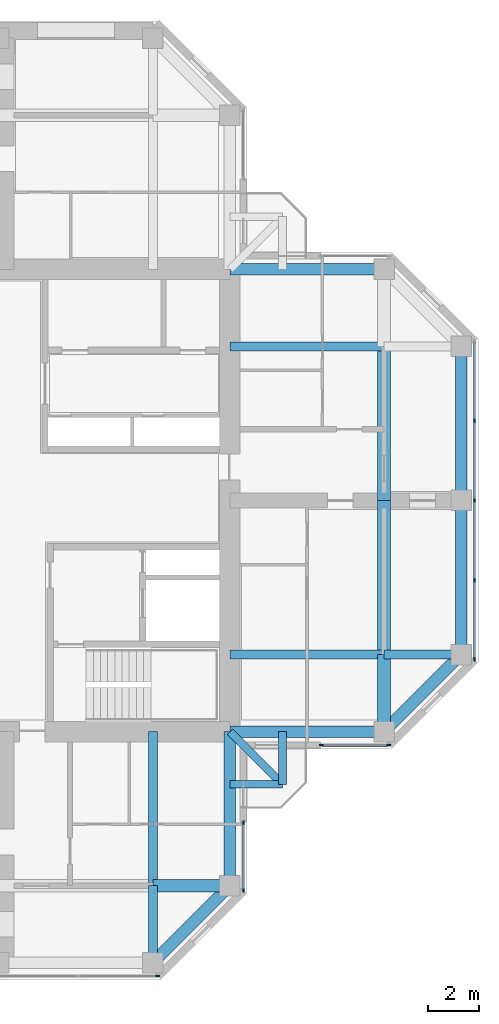
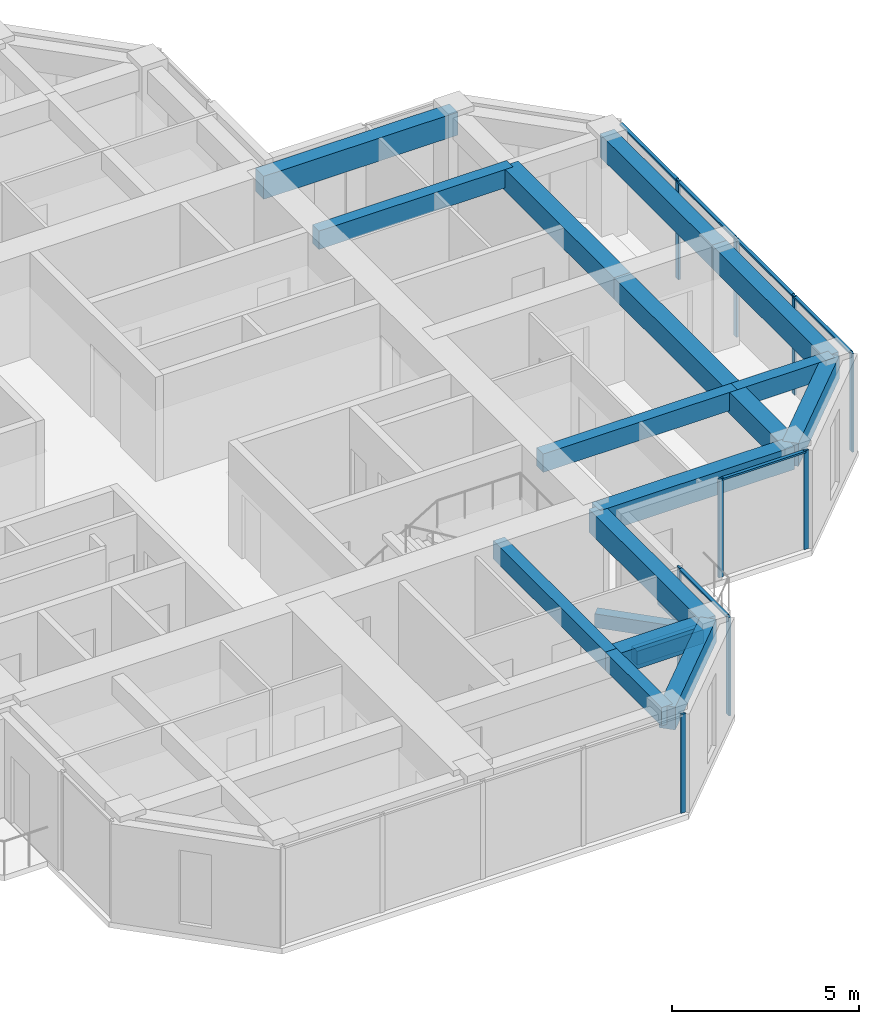
# One storey, part 5 of 13: 19 beams, 15 members, 4 elements without a shape of their own.
"""IFC4 building model written with IfcOpenShell, lengths in metres."""

from ifc_helpers import new_model, si_unit, direction, frame, origin, origin_2d, place, context, subcontext, project, spatial, rectangle, extrude, material, material_profile, profile_set, type_object, element, aggregate, save


model = new_model("IFC4")

# Units and contexts
model_context = context("Model", 3, precision=1e-05, world=origin(), true_north=direction((0.0, 1.0)))
body_context = subcontext(model_context, "Body", "Model", "MODEL_VIEW")
ifc_project = project(units=[si_unit("LENGTHUNIT", "METRE"), si_unit("AREAUNIT", "SQUARE_METRE"), si_unit("VOLUMEUNIT", "CUBIC_METRE"), si_unit("PLANEANGLEUNIT", "RADIAN"), si_unit("MASSUNIT", "GRAM", prefix="KILO")], contexts=[model_context])

# Site, building, storey
site_placement = place(None, origin())
site = spatial("IfcSite", under=ifc_project, at=site_placement, CompositionType="ELEMENT")
building_placement = place(site_placement, origin())
building = spatial("IfcBuilding", under=site, at=building_placement, Name="Torre Cruceta", CompositionType="ELEMENT")
storey_placement = place(building_placement, frame((0.0, 0.0, 232.300048828125)))
storey = spatial("IfcBuildingStorey", under=building, at=storey_placement, Name="L59", CompositionType="ELEMENT", Elevation=232.300048828125)

# Beams
ifc_material_1 = material(Name="Concrete G60 (fck 60 MPa)", Category="concrete")
ifc_material_profile_1 = material_profile(ifc_material_1, rectangle(XDim=0.300048828125, YDim=0.449951171875, at=origin_2d()), Name="RC 300X450")
ifc_profile_set_1 = profile_set([ifc_material_profile_1], Name="Concrete G60 (fck 60 MPa)")
beam_type_1 = type_object("IfcBeamType", Name="BALCONY CANTILEVER BEAM RC 300X450", PredefinedType="BEAM", material=ifc_profile_set_1)
beam_1_placement = place(storey_placement, frame((9.0, -9.0, -0.405029296875), z_axis=(0.707106781187, -0.707106781187, 0.0), x_axis=(0.707106781187, 0.707106781187, 0.0)))
element("IfcBeam", 1, at=beam_1_placement, inside=storey, type_object=beam_type_1, Name="BB1 balcony beam L59 S", PredefinedType="BEAM", context=body_context, shape_type="SweptSolid", body=[
    extrude(rectangle(XDim=0.300048828125, YDim=0.449951171875, at=origin_2d()), origin(), (0.0, 0.0, 1.0), 2.89990234375),
])
for number, where, z_axis, x_axis, name in (
    (2, (11.050537109375, -9.0, -0.405029296875), (0.0, -1.0, 0.0), (1.0, 0.0, 0.0), "BB1 balcony edge beam L59 S-X"),
    (3, (9.0, -11.050537109375, -0.405029296875), (1.0, 0.0, 0.0), (0.0, 1.0, 0.0), "BB1 balcony edge beam L59 S-Y"),
):
    element("IfcBeam", number, at=place(storey_placement, frame(where, z_axis=z_axis, x_axis=x_axis)), inside=storey, type_object=beam_type_1, Name=name, PredefinedType="BEAM", context=body_context, shape_type="SweptSolid", body=[
        extrude(rectangle(XDim=0.300048828125, YDim=0.449951171875, at=origin_2d()), origin(), (0.0, 0.0, 1.0), 2.050537109375),
    ])
ifc_material_2 = material(Name="Concrete G60 (fck 60 MPa)", Category="concrete")
ifc_material_profile_2 = material_profile(ifc_material_2, rectangle(XDim=0.35009765625, YDim=0.60009765625, at=origin_2d()), Name="RC 350X600")
ifc_profile_set_2 = profile_set([ifc_material_profile_2], Name="Concrete G60 (fck 60 MPa)")
beam_type_2 = type_object("IfcBeamType", Name="COLUMN LINE BEAM RC 350X600", PredefinedType="BEAM", material=ifc_profile_set_2)
beam_2_placement = place(storey_placement, frame((9.0, -6.0, 2.919921875), z_axis=(1.0, 0.0, 0.0), x_axis=(0.0, 1.0, 0.0)))
element("IfcBeam", 4, at=beam_2_placement, inside=storey, type_object=beam_type_2, Name="LB9 L59 E col- 1", PredefinedType="BEAM", context=body_context, shape_type="SweptSolid", body=[
    extrude(rectangle(XDim=0.35009765625, YDim=0.60009765625, at=origin_2d()), origin(), (0.0, 0.0, 1.0), 6.0),
])
beam_3_placement = place(storey_placement, frame((15.0, -6.0, 2.919921875), z_axis=(1.0, 0.0, 0.0), x_axis=(0.0, 1.0, 0.0)))
element("IfcBeam", 5, at=beam_3_placement, inside=storey, type_object=beam_type_2, Name="LB9 L59 E col- 2", PredefinedType="BEAM", context=body_context, shape_type="SweptSolid", body=[
    extrude(rectangle(XDim=0.35009765625, YDim=0.60009765625, at=origin_2d()), origin(), (0.0, 0.0, 1.0), 3.0),
])
for number, where, z_axis, x_axis, name in (
    (6, (9.0, 6.0, 2.919921875), (1.0, 0.0, 0.0), (0.0, 1.0, 0.0), "LB9 L59 E col+ 1"),
    (7, (6.0, -9.0, 2.919921875), (0.0, -1.0, 0.0), (1.0, 0.0, 0.0), "LB9 L59 S col+ 1"),
):
    element("IfcBeam", number, at=place(storey_placement, frame(where, z_axis=z_axis, x_axis=x_axis)), inside=storey, type_object=beam_type_2, Name=name, PredefinedType="BEAM", context=body_context, shape_type="SweptSolid", body=[
        extrude(rectangle(XDim=0.35009765625, YDim=0.60009765625, at=origin_2d()), origin(), (0.0, 0.0, 1.0), 6.0),
    ])
beam_4_placement = place(storey_placement, frame((6.0, -15.0, 2.919921875), z_axis=(0.0, -1.0, 0.0), x_axis=(1.0, 0.0, 0.0)))
element("IfcBeam", 8, at=beam_4_placement, inside=storey, type_object=beam_type_2, Name="LB9 L59 S col+ 2", PredefinedType="BEAM", context=body_context, shape_type="SweptSolid", body=[
    extrude(rectangle(XDim=0.35009765625, YDim=0.60009765625, at=origin_2d()), origin(), (0.0, 0.0, 1.0), 3.0),
])
ifc_material_3 = material(Name="Concrete G60 (fck 60 MPa)", Category="concrete")
ifc_material_profile_3 = material_profile(ifc_material_3, rectangle(XDim=0.5, YDim=0.699951171875, at=origin_2d()), Name="RC 500X700")
ifc_profile_set_3 = profile_set([ifc_material_profile_3], Name="Concrete G60 (fck 60 MPa)")
beam_type_3 = type_object("IfcBeamType", Name="CROSS BEAM RC 500X700", PredefinedType="BEAM", material=ifc_profile_set_3)
beam_5_placement = place(storey_placement, frame((15.0, -9.0, 2.869873046875), z_axis=(0.0, 1.0, 0.0), x_axis=(-1.0, 0.0, 0.0)))
element("IfcBeam", 9, at=beam_5_placement, inside=storey, type_object=beam_type_3, Name="GB7 L59 E cross15 1", PredefinedType="BEAM", context=body_context, shape_type="SweptSolid", body=[
    extrude(rectangle(XDim=0.5, YDim=0.699951171875, at=origin_2d()), origin(), (0.0, 0.0, 1.0), 3.0),
])
for number, where, z_axis, x_axis, name in (
    (10, (15.0, -6.0, 2.869873046875), (0.0, 1.0, 0.0), (-1.0, 0.0, 0.0), "GB7 L59 E cross15 2"),
    (11, (15.0, 0.0, 2.869873046875), (0.0, 1.0, 0.0), (-1.0, 0.0, 0.0), "GB7 L59 E cross15 3"),
):
    element("IfcBeam", number, at=place(storey_placement, frame(where, z_axis=z_axis, x_axis=x_axis)), inside=storey, type_object=beam_type_3, Name=name, PredefinedType="BEAM", context=body_context, shape_type="SweptSolid", body=[
        extrude(rectangle(XDim=0.5, YDim=0.699951171875, at=origin_2d()), origin(), (0.0, 0.0, 1.0), 6.0),
    ])
beam_6_placement = place(storey_placement, frame((6.0, -15.0, 2.869873046875), z_axis=(1.0, 0.0, 0.0), x_axis=(0.0, 1.0, 0.0)))
element("IfcBeam", 12, at=beam_6_placement, inside=storey, type_object=beam_type_3, Name="GB7 L59 S cross15 4", PredefinedType="BEAM", context=body_context, shape_type="SweptSolid", body=[
    extrude(rectangle(XDim=0.5, YDim=0.699951171875, at=origin_2d()), origin(), (0.0, 0.0, 1.0), 3.0),
])

# Curtain wall, members
ifc_material_4 = material(Name="Aluminium unitised curtain wall", Category="aluminium")
curtain_wall_type = type_object("IfcCurtainWallType", Name="CURTAIN WALL CW-D CO-LIVING UPPER", PredefinedType="USERDEFINED", material=ifc_material_4)
curtain_wall_1_placement = place(storey_placement, origin())
curtain_wall_1 = element("IfcCurtainWall", 13, at=curtain_wall_1_placement, inside=storey, type_object=curtain_wall_type, Name="CW-D L59 E side 00", ObjectType="UNITISED", PredefinedType="USERDEFINED")
ifc_material_5 = material(Name="Aluminium mullion", Category="aluminium")
ifc_material_profile_4 = material_profile(ifc_material_5, rectangle(XDim=0.06005859375, YDim=0.14990234375, at=origin_2d()), Name="AL 60X150")
ifc_profile_set_4 = profile_set([ifc_material_profile_4], Name="Aluminium mullion")
member_type_1 = type_object("IfcMemberType", Name="CW-D MULLION 60X150", PredefinedType="MULLION", material=ifc_profile_set_4)
member_1_placement = place(storey_placement, frame((12.550048828125, -9.52001953125, 0.0), z_axis=(0.0, 0.0, 1.0), x_axis=(0.0, 1.0, 0.0)))
member_1 = element("IfcMember", 14, at=member_1_placement, type_object=member_type_1, Name="CW-D mullion 1", PredefinedType="MULLION", context=body_context, shape_type="SweptSolid", body=[
    extrude(rectangle(XDim=0.06005859375, YDim=0.14990234375, at=origin_2d()), origin(), (0.0, 0.0, 1.0), 3.219970703125),
])
member_2_placement = place(storey_placement, frame((15.185302734375, -9.52001953125, 0.0), z_axis=(0.0, 0.0, 1.0), x_axis=(0.0, 1.0, 0.0)))
member_2 = element("IfcMember", 15, at=member_2_placement, type_object=member_type_1, Name="CW-D mullion 2", PredefinedType="MULLION", context=body_context, shape_type="SweptSolid", body=[
    extrude(rectangle(XDim=0.06005859375, YDim=0.14990234375, at=origin_2d()), origin(), (0.0, 0.0, 1.0), 3.219970703125),
])

curtain_wall_2_placement = place(storey_placement, origin())
curtain_wall_2 = element("IfcCurtainWall", 16, at=curtain_wall_2_placement, inside=storey, type_object=curtain_wall_type, Name="CW-D L59 E tip 02", ObjectType="UNITISED", PredefinedType="USERDEFINED")
member_3_placement = place(storey_placement, frame((18.52001953125, -6.185302734375, 0.0), z_axis=(0.0, 0.0, 1.0), x_axis=(-1.0, 0.0, 0.0)))
member_3 = element("IfcMember", 17, at=member_3_placement, type_object=member_type_1, Name="CW-D mullion 1", PredefinedType="MULLION", context=body_context, shape_type="SweptSolid", body=[
    extrude(rectangle(XDim=0.06005859375, YDim=0.14990234375, at=origin_2d()), origin(), (0.0, 0.0, 1.0), 3.219970703125),
])
member_4_placement = place(storey_placement, frame((18.52001953125, -3.107666015625, 0.0), z_axis=(0.0, 0.0, 1.0), x_axis=(-1.0, 0.0, 0.0)))
member_4 = element("IfcMember", 18, at=member_4_placement, type_object=member_type_1, Name="CW-D mullion 2", PredefinedType="MULLION", context=body_context, shape_type="SweptSolid", body=[
    extrude(rectangle(XDim=0.06005859375, YDim=0.14990234375, at=origin_2d()), origin(), (0.0, 0.0, 1.0), 3.219970703125),
])
member_5_placement = place(storey_placement, frame((18.52001953125, 0.0, 0.0), z_axis=(0.0, 0.0, 1.0), x_axis=(-1.0, 0.0, 0.0)))
member_5 = element("IfcMember", 19, at=member_5_placement, type_object=member_type_1, Name="CW-D mullion 3", PredefinedType="MULLION", context=body_context, shape_type="SweptSolid", body=[
    extrude(rectangle(XDim=0.06005859375, YDim=0.14990234375, at=origin_2d()), origin(), (0.0, 0.0, 1.0), 3.219970703125),
])
member_6_placement = place(storey_placement, frame((18.52001953125, 3.107666015625, 0.0), z_axis=(0.0, 0.0, 1.0), x_axis=(-1.0, 0.0, 0.0)))
member_6 = element("IfcMember", 20, at=member_6_placement, type_object=member_type_1, Name="CW-D mullion 4", PredefinedType="MULLION", context=body_context, shape_type="SweptSolid", body=[
    extrude(rectangle(XDim=0.06005859375, YDim=0.14990234375, at=origin_2d()), origin(), (0.0, 0.0, 1.0), 3.219970703125),
])

# Curtain wall, member
curtain_wall_3_placement = place(storey_placement, origin())
curtain_wall_3 = element("IfcCurtainWall", 21, at=curtain_wall_3_placement, inside=storey, type_object=curtain_wall_type, Name="CW-D L59 S tip 17", ObjectType="UNITISED", PredefinedType="USERDEFINED")
member_7_placement = place(storey_placement, frame((6.185302734375, -18.52001953125, 0.0), z_axis=(0.0, 0.0, 1.0), x_axis=(0.0, 1.0, 0.0)))
member_7 = element("IfcMember", 22, at=member_7_placement, type_object=member_type_1, Name="CW-D mullion 5", PredefinedType="MULLION", context=body_context, shape_type="SweptSolid", body=[
    extrude(rectangle(XDim=0.06005859375, YDim=0.14990234375, at=origin_2d()), origin(), (0.0, 0.0, 1.0), 3.219970703125),
])
aggregate(curtain_wall_3, [member_7])

# Curtain wall, members
curtain_wall_4_placement = place(storey_placement, origin())
curtain_wall_4 = element("IfcCurtainWall", 23, at=curtain_wall_4_placement, inside=storey, type_object=curtain_wall_type, Name="CW-D L59 S side 19", ObjectType="UNITISED", PredefinedType="USERDEFINED")
member_8_placement = place(storey_placement, frame((9.52001953125, -15.185302734375, 0.0), z_axis=(0.0, 0.0, 1.0), x_axis=(-1.0, 0.0, 0.0)))
member_8 = element("IfcMember", 24, at=member_8_placement, type_object=member_type_1, Name="CW-D mullion 1", PredefinedType="MULLION", context=body_context, shape_type="SweptSolid", body=[
    extrude(rectangle(XDim=0.06005859375, YDim=0.14990234375, at=origin_2d()), origin(), (0.0, 0.0, 1.0), 3.219970703125),
])
member_9_placement = place(storey_placement, frame((9.52001953125, -12.550048828125, 0.0), z_axis=(0.0, 0.0, 1.0), x_axis=(-1.0, 0.0, 0.0)))
member_9 = element("IfcMember", 25, at=member_9_placement, type_object=member_type_1, Name="CW-D mullion 2", PredefinedType="MULLION", context=body_context, shape_type="SweptSolid", body=[
    extrude(rectangle(XDim=0.06005859375, YDim=0.14990234375, at=origin_2d()), origin(), (0.0, 0.0, 1.0), 3.219970703125),
])

# Member
ifc_material_6 = material(Name="Aluminium transom", Category="aluminium")
ifc_material_profile_5 = material_profile(ifc_material_6, rectangle(XDim=0.10009765625, YDim=0.06005859375, at=origin_2d()), Name="AL 100X60")
ifc_profile_set_5 = profile_set([ifc_material_profile_5], Name="Aluminium transom")
member_type_2 = type_object("IfcMemberType", Name="CW-D TRANSOM 60X100", PredefinedType="USERDEFINED", material=ifc_profile_set_5)
member_10_placement = place(storey_placement, frame((12.580078125, -9.52001953125, 3.18994140625), z_axis=(1.0, 0.0, 0.0), x_axis=(0.0, 1.0, 0.0)))
member_10 = element("IfcMember", 26, at=member_10_placement, type_object=member_type_2, Name="CW-D transom 1", ObjectType="TRANSOM", PredefinedType="USERDEFINED", context=body_context, shape_type="SweptSolid", body=[
    extrude(rectangle(XDim=0.10009765625, YDim=0.06005859375, at=origin_2d()), origin(), (0.0, 0.0, 1.0), 2.5751953125),
])

aggregate(curtain_wall_1, [member_1, member_2, member_10])

member_11_placement = place(storey_placement, frame((18.52001953125, -6.1552734375, 3.18994140625), z_axis=(0.0, 1.0, 0.0), x_axis=(-1.0, 0.0, 0.0)))
member_11 = element("IfcMember", 27, at=member_11_placement, type_object=member_type_2, Name="CW-D transom 1", ObjectType="TRANSOM", PredefinedType="USERDEFINED", context=body_context, shape_type="SweptSolid", body=[
    extrude(rectangle(XDim=0.10009765625, YDim=0.06005859375, at=origin_2d()), origin(), (0.0, 0.0, 1.0), 3.017578125),
])

member_12_placement = place(storey_placement, frame((18.52001953125, -3.07763671875, 3.18994140625), z_axis=(0.0, 1.0, 0.0), x_axis=(-1.0, 0.0, 0.0)))
member_12 = element("IfcMember", 28, at=member_12_placement, type_object=member_type_2, Name="CW-D transom 2", ObjectType="TRANSOM", PredefinedType="USERDEFINED", context=body_context, shape_type="SweptSolid", body=[
    extrude(rectangle(XDim=0.10009765625, YDim=0.06005859375, at=origin_2d()), origin(), (0.0, 0.0, 1.0), 3.047607421875),
])

member_13_placement = place(storey_placement, frame((18.52001953125, 0.030029296875, 3.18994140625), z_axis=(0.0, 1.0, 0.0), x_axis=(-1.0, 0.0, 0.0)))
member_13 = element("IfcMember", 29, at=member_13_placement, type_object=member_type_2, Name="CW-D transom 3", ObjectType="TRANSOM", PredefinedType="USERDEFINED", context=body_context, shape_type="SweptSolid", body=[
    extrude(rectangle(XDim=0.10009765625, YDim=0.06005859375, at=origin_2d()), origin(), (0.0, 0.0, 1.0), 3.047607421875),
])

member_14_placement = place(storey_placement, frame((18.52001953125, 3.1376953125, 3.18994140625), z_axis=(0.0, 1.0, 0.0), x_axis=(-1.0, 0.0, 0.0)))
member_14 = element("IfcMember", 30, at=member_14_placement, type_object=member_type_2, Name="CW-D transom 4", ObjectType="TRANSOM", PredefinedType="USERDEFINED", context=body_context, shape_type="SweptSolid", body=[
    extrude(rectangle(XDim=0.10009765625, YDim=0.06005859375, at=origin_2d()), origin(), (0.0, 0.0, 1.0), 3.017578125),
])

aggregate(curtain_wall_2, [member_3, member_4, member_5, member_6, member_11, member_12, member_13, member_14])

member_15_placement = place(storey_placement, frame((9.52001953125, -15.1552734375, 3.18994140625), z_axis=(0.0, 1.0, 0.0), x_axis=(-1.0, 0.0, 0.0)))
member_15 = element("IfcMember", 31, at=member_15_placement, type_object=member_type_2, Name="CW-D transom 1", ObjectType="TRANSOM", PredefinedType="USERDEFINED", context=body_context, shape_type="SweptSolid", body=[
    extrude(rectangle(XDim=0.10009765625, YDim=0.06005859375, at=origin_2d()), origin(), (0.0, 0.0, 1.0), 2.5751953125),
])

aggregate(curtain_wall_4, [member_8, member_9, member_15])

# Beams
ifc_material_7 = material(Name="Concrete G60 (fck 60 MPa)", Category="concrete")
ifc_material_profile_6 = material_profile(ifc_material_7, rectangle(XDim=0.449951171875, YDim=0.75, at=origin_2d()), Name="RC 450X750")
ifc_profile_set_6 = profile_set([ifc_material_profile_6], Name="Concrete G60 (fck 60 MPa)")
beam_type_4 = type_object("IfcBeamType", Name="SPANDREL BEAM RC 450X750", PredefinedType="SPANDREL", material=ifc_profile_set_6)
beam_7_placement = place(storey_placement, frame((9.0, -9.0, 2.844970703125), z_axis=(1.0, 0.0, 0.0), x_axis=(0.0, 1.0, 0.0)))
element("IfcBeam", 32, at=beam_7_placement, inside=storey, type_object=beam_type_4, Name="SB7 L59 E side- 1", PredefinedType="SPANDREL", context=body_context, shape_type="SweptSolid", body=[
    extrude(rectangle(XDim=0.449951171875, YDim=0.75, at=origin_2d()), origin(), (0.0, 0.0, 1.0), 6.0),
])
beam_8_placement = place(storey_placement, frame((15.0, -9.0, 2.844970703125), z_axis=(0.707106781187, 0.707106781187, 0.0), x_axis=(-0.707106781187, 0.707106781187, 0.0)))
element("IfcBeam", 33, at=beam_8_placement, inside=storey, type_object=beam_type_4, Name="SB7 L59 E side- 2", PredefinedType="SPANDREL", context=body_context, shape_type="SweptSolid", body=[
    extrude(rectangle(XDim=0.449951171875, YDim=0.75, at=origin_2d()), origin(), (0.0, 0.0, 1.0), 4.24267578125),
])
for number, where, z_axis, x_axis, name in (
    (34, (9.0, 9.0, 2.844970703125), (1.0, 0.0, 0.0), (0.0, 1.0, 0.0), "SB7 L59 E side+ 1"),
    (35, (18.0, -6.0, 2.844970703125), (0.0, 1.0, 0.0), (-1.0, 0.0, 0.0), "SB7 L59 E tip 1"),
    (36, (18.0, 0.0, 2.844970703125), (0.0, 1.0, 0.0), (-1.0, 0.0, 0.0), "SB7 L59 E tip 2"),
    (37, (9.0, -9.0, 2.844970703125), (0.0, -1.0, 0.0), (1.0, 0.0, 0.0), "SB7 L59 S side+ 1"),
):
    element("IfcBeam", number, at=place(storey_placement, frame(where, z_axis=z_axis, x_axis=x_axis)), inside=storey, type_object=beam_type_4, Name=name, PredefinedType="SPANDREL", context=body_context, shape_type="SweptSolid", body=[
        extrude(rectangle(XDim=0.449951171875, YDim=0.75, at=origin_2d()), origin(), (0.0, 0.0, 1.0), 6.0),
    ])
beam_9_placement = place(storey_placement, frame((9.0, -15.0, 2.844970703125), z_axis=(-0.707106781187, -0.707106781187, 0.0), x_axis=(0.707106781187, -0.707106781187, 0.0)))
element("IfcBeam", 38, at=beam_9_placement, inside=storey, type_object=beam_type_4, Name="SB7 L59 S side+ 2", PredefinedType="SPANDREL", context=body_context, shape_type="SweptSolid", body=[
    extrude(rectangle(XDim=0.449951171875, YDim=0.75, at=origin_2d()), origin(), (0.0, 0.0, 1.0), 4.24267578125),
])

save(model, "model.ifc")
